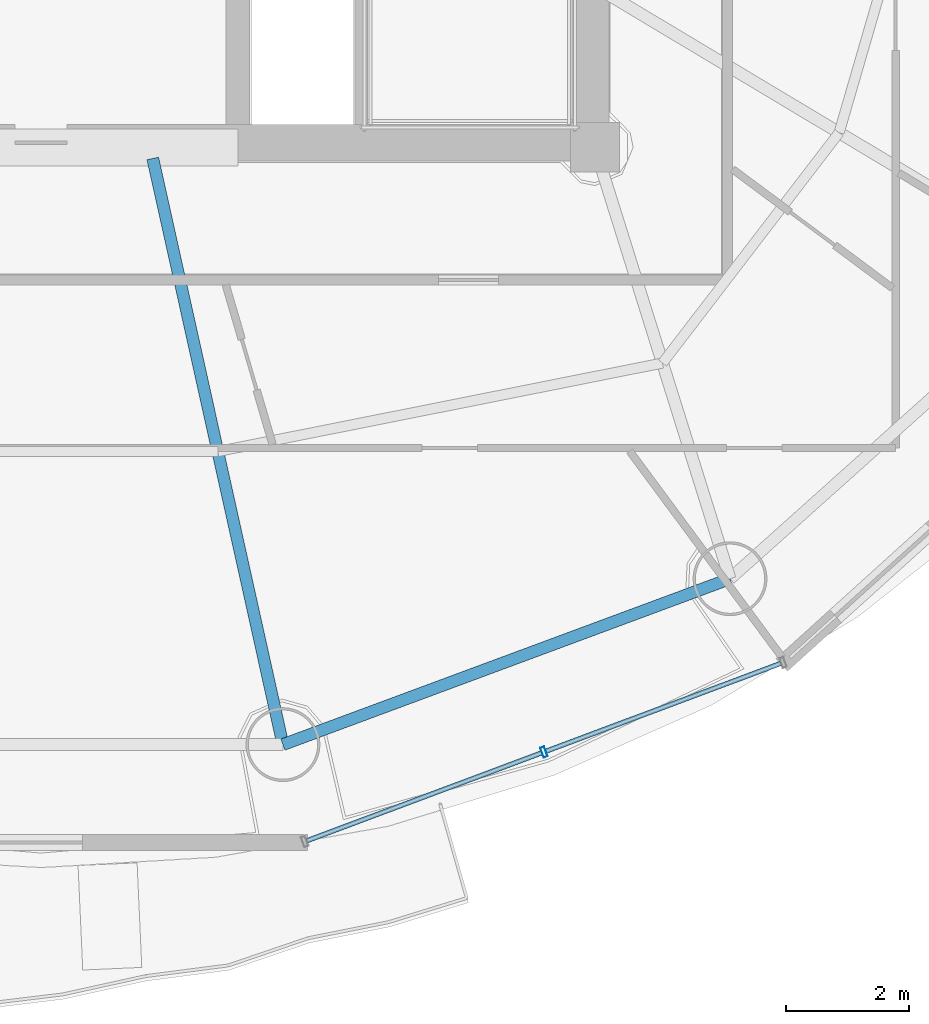
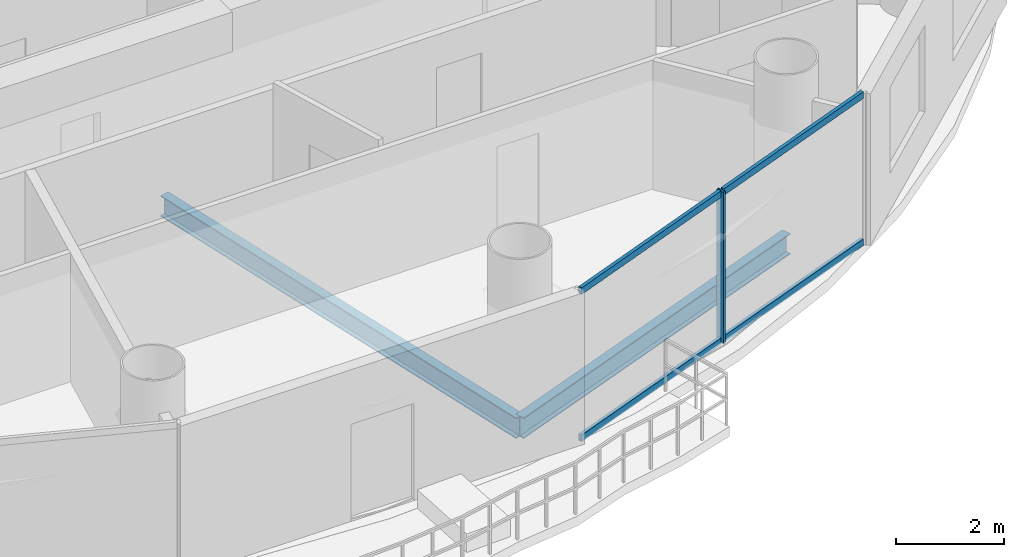
# One storey, part 6 of 26: 5 members, 2 beams, 1 element without a shape of its own.
"""IFC4 building model written with IfcOpenShell, lengths in metres."""

import ifcopenshell
import ifcopenshell.guid

model = None  # the IFC model being written
_history = None  # IfcOwnerHistory: only IFC2X3 demands one
_inside = {}  # id of a spatial element -> (the spatial element, [elements in it])
_under = {}  # id of a project, library or spatial element -> (it, [spatial elements below it])
_declared = {}  # id of a project -> (the project, [libraries it declares])
_typed = {}  # id of a type object -> (the type object, [elements of that type])
_made_of = {}  # id of a material, layer set ... -> (it, [elements and type objects made of it])


def new_model(schema):
    """Start an empty IFC model of exactly this schema.

    Asked for "IFC4X3", IfcOpenShell would pick the latest addendum, in which some entities
    have other attributes; the version numbers below select the first issue.
    IFC2X3 requires an IfcOwnerHistory on every rooted entity: one is made here for all.
    """
    global model, _history
    if schema == "IFC4X3":
        model = ifcopenshell.file(schema_version=(4, 3, 0, 0))
    else:
        model = ifcopenshell.file(schema=schema)
    _inside.clear()
    _under.clear()
    _declared.clear()
    _typed.clear()
    _made_of.clear()
    _history = None
    if model.schema == "IFC2X3":
        org = make("IfcOrganization", Name="unknown")
        user = make(
            "IfcPersonAndOrganization",
            ThePerson=make("IfcPerson", FamilyName="unknown"),
            TheOrganization=org,
        )
        app = make(
            "IfcApplication",
            ApplicationDeveloper=org,
            Version="unknown",
            ApplicationFullName="unknown",
            ApplicationIdentifier="unknown",
        )
        _history = make(
            "IfcOwnerHistory",
            OwningUser=user,
            OwningApplication=app,
            ChangeAction="ADDED",
            CreationDate=0,
        )
    return model


def make(cls, **values):
    """One entity of the class cls with the attributes given. An attribute that is None is left unset."""
    return model.create_entity(
        cls, **{name: value for name, value in values.items() if value is not None}
    )


def rooted(cls, **values):
    """An entity with a GlobalId (a new one), such as an element, a storey or a relation."""
    return make(cls, GlobalId=ifcopenshell.guid.new(), OwnerHistory=_history, **values)


def si_unit(unit_type, name, prefix=None):
    """IfcSIUnit, for example si_unit("LENGTHUNIT", "METRE", prefix="MILLI")."""
    return make("IfcSIUnit", UnitType=unit_type, Prefix=prefix, Name=name)


def assignment(units):
    """IfcUnitAssignment: the units of a project."""
    return None if units is None else make("IfcUnitAssignment", Units=units)


def point(xyz):
    """IfcCartesianPoint."""
    return None if xyz is None else make("IfcCartesianPoint", Coordinates=xyz)


def direction(xyz):
    """IfcDirection."""
    return None if xyz is None else make("IfcDirection", DirectionRatios=xyz)


def frame(location, z_axis=None, x_axis=None):
    """IfcAxis2Placement3D, a coordinate frame: its origin and axes. An axis left out is left unset."""
    return make(
        "IfcAxis2Placement3D",
        Location=point(location),
        Axis=direction(z_axis),
        RefDirection=direction(x_axis),
    )


def frame_2d(location, x_axis=None):
    """IfcAxis2Placement2D, a coordinate frame in the plane: its origin and x axis."""
    return make(
        "IfcAxis2Placement2D", Location=point(location), RefDirection=direction(x_axis)
    )


def origin():
    """The frame at (0, 0, 0) with its axes left unset."""
    return frame((0.0, 0.0, 0.0))


def origin_2d():
    """The frame at (0, 0) in the plane with its x axis left unset."""
    return frame_2d((0.0, 0.0))


def place(relative_to, where):
    """IfcLocalPlacement: puts the frame where relative to a parent placement (None: the world)."""
    return make(
        "IfcLocalPlacement", PlacementRelTo=relative_to, RelativePlacement=where
    )


def context(
    kind, dimensions, precision=None, world=None, true_north=None, identifier=None
):
    """IfcGeometricRepresentationContext, for example the 3D "Model" context."""
    return make(
        "IfcGeometricRepresentationContext",
        ContextIdentifier=identifier,
        ContextType=kind,
        CoordinateSpaceDimension=dimensions,
        Precision=precision,
        WorldCoordinateSystem=world,
        TrueNorth=true_north,
    )


def subcontext(parent, identifier, kind, view, scale=None):
    """IfcGeometricRepresentationSubContext, for example "Body" below "Model"."""
    return make(
        "IfcGeometricRepresentationSubContext",
        ContextIdentifier=identifier,
        ContextType=kind,
        ParentContext=parent,
        TargetScale=scale,
        TargetView=view,
    )


def project(units=None, contexts=None):
    """IfcProject with its units and contexts."""
    return rooted(
        "IfcProject",
        Name="project",
        RepresentationContexts=contexts,
        UnitsInContext=assignment(units),
    )


def spatial(cls, under=None, at=None, **own):
    """A site, building, storey or space (cls), placed at a placement, below another one or the project."""
    s = rooted(cls, ObjectPlacement=at, **own)
    if under is not None:
        _under.setdefault(under.id(), (under, []))[1].append(s)
    return s


def profile(cls, at=None, kind="AREA", **sizes):
    """A parametric profile (cls). Its sizes go by their IFC names, for example OverallWidth=200.0."""
    return make(cls, ProfileType=kind, Position=at, **sizes)


def hollow_rectangle(**sizes):
    """IfcRectangleHollowProfileDef."""
    return profile("IfcRectangleHollowProfileDef", **sizes)


def i_section(**sizes):
    """IfcIShapeProfileDef."""
    return profile("IfcIShapeProfileDef", **sizes)


def extrude(swept, where, along, depth):
    """IfcExtrudedAreaSolid: the profile swept, set in the frame where, extruded along a direction by depth."""
    return make(
        "IfcExtrudedAreaSolid",
        SweptArea=swept,
        Position=where,
        ExtrudedDirection=direction(along),
        Depth=depth,
    )


def shape(context_of_items, identifier, shape_type, items):
    """IfcShapeRepresentation: the items that make up one representation, for example the "Body"."""
    return make(
        "IfcShapeRepresentation",
        ContextOfItems=context_of_items,
        RepresentationIdentifier=identifier,
        RepresentationType=shape_type,
        Items=items,
    )


def source(mapping_origin, context_of_items, identifier, shape_type, items):
    """IfcRepresentationMap: a shape defined once, which mapped items show again and again."""
    return make(
        "IfcRepresentationMap",
        MappingOrigin=mapping_origin,
        MappedRepresentation=shape(context_of_items, identifier, shape_type, items),
    )


def transform(
    local_origin,
    x_axis=None,
    y_axis=None,
    z_axis=None,
    scale=None,
    scale2=None,
    scale3=None,
    uniform=True,
):
    """IfcCartesianTransformationOperator3D, or its non-uniform kind. x_axis, y_axis, z_axis: its Axis1, 2, 3."""
    if uniform:
        return make(
            "IfcCartesianTransformationOperator3D",
            Axis1=direction(x_axis),
            Axis2=direction(y_axis),
            LocalOrigin=point(local_origin),
            Scale=scale,
            Axis3=direction(z_axis),
        )
    return make(
        "IfcCartesianTransformationOperator3DnonUniform",
        Axis1=direction(x_axis),
        Axis2=direction(y_axis),
        LocalOrigin=point(local_origin),
        Scale=scale,
        Axis3=direction(z_axis),
        Scale2=scale2,
        Scale3=scale3,
    )


def mapped(mapping_source, mapping_target):
    """IfcMappedItem: shows the shape of a source again, moved by a transform."""
    return make(
        "IfcMappedItem", MappingSource=mapping_source, MappingTarget=mapping_target
    )


def material(Name=None, Category=None):
    """IfcMaterial."""
    return make("IfcMaterial", Name=Name, Category=Category)


def material_profile(
    of_material, cross_section, Name=None, Category=None, Priority=None
):
    """IfcMaterialProfile: a cross section and its material."""
    return make(
        "IfcMaterialProfile",
        Name=Name,
        Material=of_material,
        Profile=cross_section,
        Priority=Priority,
        Category=Category,
    )


def profile_set(profiles, Name=None, composite=None):
    """IfcMaterialProfileSet."""
    return make(
        "IfcMaterialProfileSet",
        Name=Name,
        MaterialProfiles=profiles,
        CompositeProfile=composite,
    )


def made_of(thing, what):
    """Note that an element or type object is made of a material, layer set ...; save() writes the relation."""
    if what is not None:
        _made_of.setdefault(what.id(), (what, []))[1].append(thing)
    return thing


def type_object(cls, material=None, **own):
    """A type object (cls), such as IfcWallType, which elements share."""
    return made_of(rooted(cls, **own), material)


def element(
    cls,
    number,
    at=None,
    inside=None,
    cuts=None,
    type_object=None,
    material=None,
    context=None,
    identifier="Body",
    shape_type=None,
    held_by="IfcProductDefinitionShape",
    body=None,
    shapes=None,
    **own,
):
    """One element of the class cls, such as IfcWall. Its Tag is "e" and its number.

    at: its placement. inside: the storey or other place that contains it. cuts: it is an
    opening in that element (IfcRelVoidsElement). A single representation is given by context,
    identifier, shape_type and body (its items); several are given by shapes. held_by: the class
    of the entity that holds the representations. save() writes the other relations.
    """
    e = rooted(cls, Tag="e%d" % number, ObjectPlacement=at, **own)
    if body is not None:
        shapes = [shape(context, identifier, shape_type, body)]
    if shapes is not None:
        e.Representation = make(held_by, Representations=shapes)
    if inside is not None:
        _inside.setdefault(inside.id(), (inside, []))[1].append(e)
    if cuts is not None:
        rooted(
            "IfcRelVoidsElement", RelatingBuildingElement=cuts, RelatedOpeningElement=e
        )
    if type_object is not None:
        _typed.setdefault(type_object.id(), (type_object, []))[1].append(e)
    return made_of(e, material)


def aggregate(whole, parts):
    """IfcRelAggregates: a whole, such as a stair, and the parts it consists of."""
    return rooted("IfcRelAggregates", RelatingObject=whole, RelatedObjects=parts)


def save(model, path):
    """Write the relations noted so far, then the file.

    IfcRelAggregates (storeys below a building ...), IfcRelContainedInSpatialStructure (elements
    in a storey), IfcRelDefinesByType, IfcRelAssociatesMaterial and IfcRelDeclares: one each for
    every whole, place, type object, material and project.
    """
    for whole, parts in _under.values():
        aggregate(whole, parts)
    for where, things in _inside.values():
        rooted(
            "IfcRelContainedInSpatialStructure",
            RelatedElements=things,
            RelatingStructure=where,
        )
    for kind, things in _typed.values():
        rooted("IfcRelDefinesByType", RelatedObjects=things, RelatingType=kind)
    for what, things in _made_of.values():
        rooted("IfcRelAssociatesMaterial", RelatedObjects=things, RelatingMaterial=what)
    for by, libraries in _declared.values():
        rooted("IfcRelDeclares", RelatingContext=by, RelatedDefinitions=libraries)
    model.write(path)


model = new_model("IFC4")

# Units and contexts
model_context = context("Model", 3, precision=1e-05, world=origin(), true_north=direction((-0.2419218956, 0.970295726276)))
body_context = subcontext(model_context, "Body", "Model", "MODEL_VIEW")
ifc_project = project(units=[si_unit("LENGTHUNIT", "METRE"), si_unit("AREAUNIT", "SQUARE_METRE"), si_unit("VOLUMEUNIT", "CUBIC_METRE"), si_unit("PLANEANGLEUNIT", "RADIAN"), si_unit("MASSUNIT", "GRAM", prefix="KILO")], contexts=[model_context])

# Site, building, storey
site_placement = place(None, origin())
site = spatial("IfcSite", under=ifc_project, at=site_placement, CompositionType="ELEMENT")
building_placement = place(site_placement, origin())
building = spatial("IfcBuilding", under=site, at=building_placement, Name="Cobrevalo Terracotta Tower", CompositionType="ELEMENT")
storey_placement = place(building_placement, frame((0.0, 0.0, 224.5)))
storey = spatial("IfcBuildingStorey", under=building, at=storey_placement, Name="L59", CompositionType="ELEMENT", Elevation=224.5)

# Beams
ifc_material_1 = material(Name="Steel S355", Category="steel")
ifc_material_profile_1 = material_profile(ifc_material_1, i_section(OverallWidth=0.194091796875, OverallDepth=0.468994140625, WebThickness=0.011474609375, FlangeThickness=0.0205078125, at=origin_2d()), Name="W 460x106")
ifc_profile_set_1 = profile_set([ifc_material_profile_1], Name="Steel S355")
beam_type_1 = type_object("IfcBeamType", Name="Structural Beam W 460x106 (Steel S355)", PredefinedType="BEAM", material=ifc_profile_set_1)
beam_1_placement = place(storey_placement, frame((41.93115234375, 9.096923828125, -0.49951171875), z_axis=(-0.216782061165, 0.976220025382, 0.0), x_axis=(-0.976220025382, -0.216782061165, 0.0)))
element("IfcBeam", 1, at=beam_1_placement, inside=storey, type_object=beam_type_1, Name="L59 radial floor girder 13", PredefinedType="BEAM", context=body_context, shape_type="SweptSolid", body=[
    extrude(i_section(OverallWidth=0.194091796875, OverallDepth=0.468994140625, WebThickness=0.011474609375, FlangeThickness=0.0205078125, at=origin_2d()), origin(), (0.0, 0.0, 1.0), 9.755126953125),
])
ifc_material_profile_2 = material_profile(ifc_material_1, i_section(OverallWidth=0.194091796875, OverallDepth=0.468994140625, WebThickness=0.011474609375, FlangeThickness=0.0205078125, at=origin_2d()), Name="W 460x106")
ifc_profile_set_2 = profile_set([ifc_material_profile_2], Name="Steel S355")
beam_type_2 = type_object("IfcBeamType", Name="Structural Spandrel W 460x106 (Steel S355)", PredefinedType="SPANDREL", material=ifc_profile_set_2)
beam_2_placement = place(storey_placement, frame((41.93115234375, 9.096923828125, -0.49951171875), z_axis=(0.937545996665, 0.347861328892, 0.0), x_axis=(-0.347861328892, 0.937545996665, 0.0)))
element("IfcBeam", 2, at=beam_2_placement, inside=storey, type_object=beam_type_2, Name="L59 perimeter ring spandrel 13", PredefinedType="SPANDREL", context=body_context, shape_type="SweptSolid", body=[
    extrude(i_section(OverallWidth=0.194091796875, OverallDepth=0.468994140625, WebThickness=0.011474609375, FlangeThickness=0.0205078125, at=origin_2d()), origin(), (0.0, 0.0, 1.0), 7.74755859375),
])

# Curtain wall, members
ifc_material_2 = material(Name="Anodized aluminium", Category="aluminium")
curtain_wall_type = type_object("IfcCurtainWallType", Name="Mid-tower high-wind unitised curtain wall CW-U2", PredefinedType="NOTDEFINED", material=ifc_material_2)
curtain_wall_placement = place(storey_placement, origin())
curtain_wall = element("IfcCurtainWall", 3, at=curtain_wall_placement, inside=storey, type_object=curtain_wall_type, Name="L59 curtain wall CW-L59-S13", PredefinedType="NOTDEFINED")
ifc_material_profile_3 = material_profile(ifc_material_2, hollow_rectangle(XDim=0.074951171875, YDim=0.14990234375, WallThickness=0.00439453125, at=origin_2d()), Name="CWT 75x150")
ifc_profile_set_3 = profile_set([ifc_material_profile_3], Name="Anodized aluminium")
member_type_1 = type_object("IfcMemberType", Name="Tower unitised aluminium transom 75x150", PredefinedType="USERDEFINED", material=ifc_profile_set_3)
shared_shape_1 = source(origin(), body_context, "Body", "SweptSolid", [
    extrude(hollow_rectangle(XDim=0.074951171875, YDim=0.14990234375, WallThickness=0.00439453125, at=origin_2d()), origin(), (0.0, 0.0, 1.0), 4.069580078125),
])
member_1_placement = place(storey_placement, frame((46.20849609375, 8.990478515625, 0.050048828125), z_axis=(0.936548420649, 0.350538237259, 0.0), x_axis=(-0.350538237259, 0.936548420649, 0.0)))
member_1 = element("IfcMember", 4, at=member_1_placement, type_object=member_type_1, Name="CW-L59-S13 transom B02-T1", ObjectType="TRANSOM", PredefinedType="USERDEFINED", context=body_context, shape_type="MappedRepresentation", body=[
    mapped(shared_shape_1, transform((0.0, 0.0, 0.0), scale=1.0)),
])
member_2_placement = place(storey_placement, frame((46.20849609375, 8.990478515625, 3.385009765625), z_axis=(0.936548420649, 0.350538237259, 0.0), x_axis=(-0.350538237259, 0.936548420649, 0.0)))
member_2 = element("IfcMember", 5, at=member_2_placement, type_object=member_type_1, Name="CW-L59-S13 transom B02-T2", ObjectType="TRANSOM", PredefinedType="USERDEFINED", context=body_context, shape_type="MappedRepresentation", body=[
    mapped(shared_shape_1, transform((0.0, 0.0, 0.0), scale=1.0)),
])
shared_shape_2 = source(origin(), body_context, "Body", "SweptSolid", [
    extrude(hollow_rectangle(XDim=0.074951171875, YDim=0.14990234375, WallThickness=0.00439453125, at=origin_2d()), origin(), (0.0, 0.0, 1.0), 4.06982421875),
])
member_3_placement = place(storey_placement, frame((42.322021484375, 7.535888671875, 0.050048828125), z_axis=(0.936555791772, 0.350518542873, 0.0), x_axis=(-0.350518542873, 0.936555791772, 0.0)))
member_3 = element("IfcMember", 6, at=member_3_placement, type_object=member_type_1, Name="CW-L59-S13 transom B01-T1", ObjectType="TRANSOM", PredefinedType="USERDEFINED", context=body_context, shape_type="MappedRepresentation", body=[
    mapped(shared_shape_2, transform((0.0, 0.0, 0.0), scale=1.0)),
])
member_4_placement = place(storey_placement, frame((42.322021484375, 7.535888671875, 3.385009765625), z_axis=(0.936555791772, 0.350518542873, 0.0), x_axis=(-0.350518542873, 0.936555791772, 0.0)))
member_4 = element("IfcMember", 7, at=member_4_placement, type_object=member_type_1, Name="CW-L59-S13 transom B01-T2", ObjectType="TRANSOM", PredefinedType="USERDEFINED", context=body_context, shape_type="MappedRepresentation", body=[
    mapped(shared_shape_2, transform((0.0, 0.0, 0.0), scale=1.0)),
])
ifc_material_profile_4 = material_profile(ifc_material_2, hollow_rectangle(XDim=0.070068359375, YDim=0.169921875, WallThickness=0.00439453125, at=origin_2d()), Name="CWM 70x170")
ifc_profile_set_4 = profile_set([ifc_material_profile_4], Name="Anodized aluminium")
member_type_2 = type_object("IfcMemberType", Name="Upper tower unitised mullion 70x170", PredefinedType="MULLION", material=ifc_profile_set_4)
shared_shape_3 = source(origin(), body_context, "Body", "SweptSolid", [
    extrude(hollow_rectangle(XDim=0.070068359375, YDim=0.169921875, WallThickness=0.00439453125, at=origin_2d()), origin(), (0.0, 0.0, 1.0), 3.43505859375),
])
member_5_placement = place(storey_placement, frame((46.1708984375, 8.9765625, 0.0), z_axis=(0.0, 0.0, 1.0), x_axis=(0.936556004584, 0.350517974259, 0.0)))
member_5 = element("IfcMember", 8, at=member_5_placement, type_object=member_type_2, Name="CW-L59-S13 vertical mullion 02", PredefinedType="MULLION", context=body_context, shape_type="MappedRepresentation", body=[
    mapped(shared_shape_3, transform((0.0, 0.0, 0.0), scale=1.0)),
])
aggregate(curtain_wall, [member_5, member_3, member_4, member_1, member_2])

save(model, "model.ifc")
